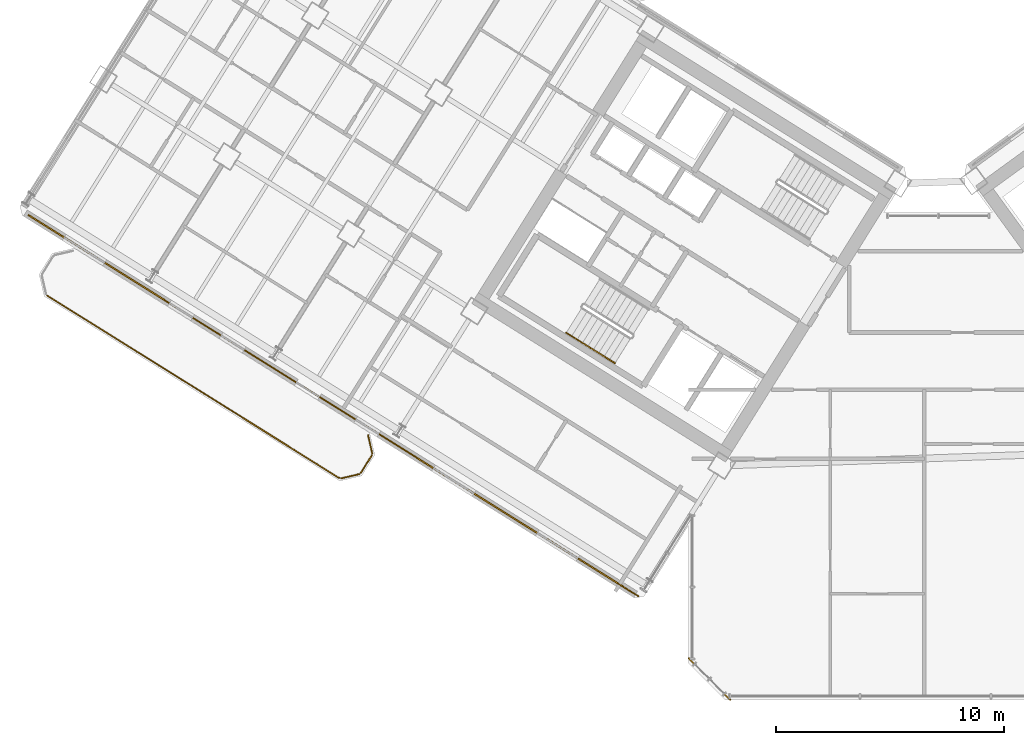
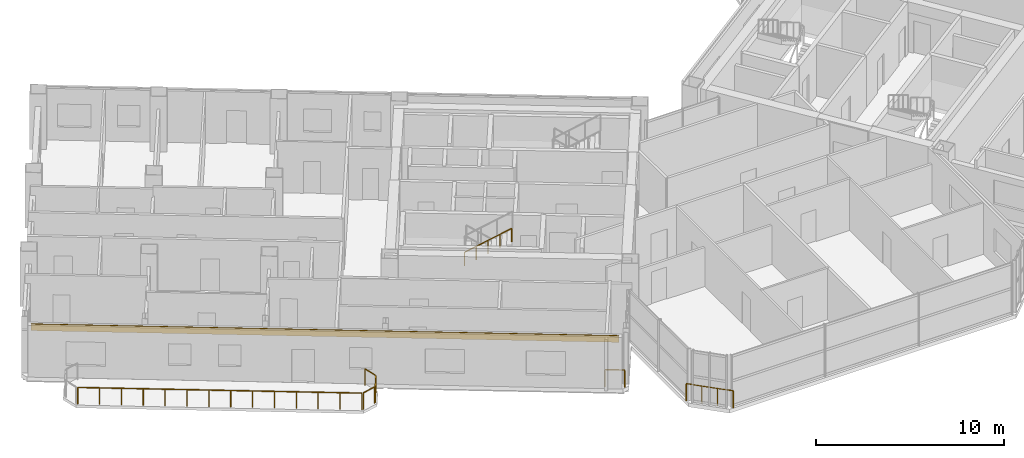
# One storey, part 22 of 29: 8 railings, 1 covering.
"""IFC4 building model written with IfcOpenShell, lengths in metres."""

from ifc_helpers import new_model, si_unit, direction, frame, origin, origin_2d, place, context, subcontext, project, spatial, rectangle, extrude, source, transform, mapped, material, layer, layer_set, type_object, element, save


model = new_model("IFC4")

# Units and contexts
model_context = context("Model", 3, precision=1e-05, world=origin(), true_north=direction((0.0, 1.0)))
body_context = subcontext(model_context, "Body", "Model", "MODEL_VIEW")
ifc_project = project(units=[si_unit("LENGTHUNIT", "METRE"), si_unit("AREAUNIT", "SQUARE_METRE"), si_unit("VOLUMEUNIT", "CUBIC_METRE"), si_unit("PLANEANGLEUNIT", "RADIAN"), si_unit("MASSUNIT", "GRAM", prefix="KILO")], contexts=[model_context])

# Site, building, storey
site_placement = place(None, origin())
site = spatial("IfcSite", under=ifc_project, at=site_placement, CompositionType="ELEMENT")
building_placement = place(site_placement, origin())
building = spatial("IfcBuilding", under=site, at=building_placement, Name="Tlacorven Tower", CompositionType="ELEMENT")
storey_placement = place(building_placement, frame((0.0, 0.0, 158.699951171875)))
storey = spatial("IfcBuildingStorey", under=building, at=storey_placement, Name="L40", CompositionType="ELEMENT", Elevation=158.699951171875)

# Railings
ifc_material_1 = material(Name="Aluminium and painted steel balustrade", Category="steel")
railing_type_1 = type_object("IfcRailingType", Name="RL-BAL-1100", PredefinedType="BALUSTRADE", material=ifc_material_1)
shared_shape_1 = source(origin(), body_context, "Body", "SweptSolid", [
    extrude(rectangle(XDim=0.048095703125, YDim=0.048095703125, at=origin_2d()), frame((0.0, 0.0, 1.076171875), z_axis=(0.225058334816, -0.974345290916, 0.0), x_axis=(0.974345290916, 0.225058334816, 0.0)), (0.0, 0.0, 1.0), 0.80712890625),
    extrude(rectangle(XDim=0.0419921875, YDim=0.0419921875, at=origin_2d()), origin(), (0.0, 0.0, 1.0), 1.052001953125),
    extrude(rectangle(XDim=0.0419921875, YDim=0.0419921875, at=origin_2d()), frame((0.181640625, -0.786376953125, 0.0)), (0.0, 0.0, 1.0), 1.052001953125),
])
railing_1_placement = place(storey_placement, frame((17.5244140625, 13.413330078125, 0.0)))
element("IfcRailing", 1, at=railing_1_placement, inside=storey, type_object=railing_type_1, Name="BAL-L40-W-OUT Guard Railing 1", PredefinedType="BALUSTRADE", context=body_context, shape_type="MappedRepresentation", body=[
    mapped(shared_shape_1, transform((0.0, 0.0, 0.0), scale=1.0)),
])
shared_shape_2 = source(origin(), body_context, "Body", "SweptSolid", [
    extrude(rectangle(XDim=0.048095703125, YDim=0.048095703125, at=origin_2d()), frame((0.0, 0.0, 1.076171875), z_axis=(-0.52987865805, -0.848073468364, 0.0), x_axis=(0.848073468364, -0.52987865805, 0.0)), (0.0, 0.0, 1.0), 0.912353515625),
    extrude(rectangle(XDim=0.0419921875, YDim=0.0419921875, at=origin_2d()), origin(), (0.0, 0.0, 1.0), 1.052001953125),
    extrude(rectangle(XDim=0.0419921875, YDim=0.0419921875, at=origin_2d()), frame((-0.4833984375, -0.773681640625, 0.0)), (0.0, 0.0, 1.0), 1.052001953125),
])
railing_2_placement = place(storey_placement, frame((17.690673828125, 12.535888671875, 0.0)))
element("IfcRailing", 2, at=railing_2_placement, inside=storey, type_object=railing_type_1, Name="BAL-L40-W-OUT Guard Railing 2", PredefinedType="BALUSTRADE", context=body_context, shape_type="MappedRepresentation", body=[
    mapped(shared_shape_2, transform((0.0, 0.0, 0.0), scale=1.0)),
])
shared_shape_3 = source(origin(), body_context, "Body", "SweptSolid", [
    extrude(rectangle(XDim=0.048095703125, YDim=0.048095703125, at=origin_2d()), frame((0.0, 0.0, 1.076171875), z_axis=(-0.974411586182, -0.224771129628, 0.0), x_axis=(0.224771129628, -0.974411586182, 0.0)), (0.0, 0.0, 1.0), 0.80712890625),
    extrude(rectangle(XDim=0.0419921875, YDim=0.0419921875, at=origin_2d()), origin(), (0.0, 0.0, 1.0), 1.052001953125),
    extrude(rectangle(XDim=0.0419921875, YDim=0.0419921875, at=origin_2d()), frame((-0.786376953125, -0.181396484375, 0.0)), (0.0, 0.0, 1.0), 1.052001953125),
])
railing_3_placement = place(storey_placement, frame((17.132080078125, 11.70849609375, 0.0)))
element("IfcRailing", 3, at=railing_3_placement, inside=storey, type_object=railing_type_1, Name="BAL-L40-W-OUT Guard Railing 3", PredefinedType="BALUSTRADE", context=body_context, shape_type="MappedRepresentation", body=[
    mapped(shared_shape_3, transform((0.0, 0.0, 0.0), scale=1.0)),
])
shared_shape_4 = source(origin(), body_context, "Body", "SweptSolid", [
    extrude(rectangle(XDim=0.048095703125, YDim=0.048095703125, at=origin_2d()), frame((0.0, 0.0, 1.076171875), z_axis=(-0.848044572804, 0.529924902733, 0.0), x_axis=(-0.529924902733, -0.848044572804, 0.0)), (0.0, 0.0, 1.0), 15.1171875),
    extrude(rectangle(XDim=0.0419921875, YDim=0.0419921875, at=origin_2d()), origin(), (0.0, 0.0, 1.0), 1.052001953125),
    extrude(rectangle(XDim=0.0419921875, YDim=0.0419921875, at=origin_2d()), frame((-0.986083984375, 0.6162109375, 0.0)), (0.0, 0.0, 1.0), 1.052001953125),
    extrude(rectangle(XDim=0.0419921875, YDim=0.0419921875, at=origin_2d()), frame((-1.972412109375, 1.232421875, 0.0)), (0.0, 0.0, 1.0), 1.052001953125),
    extrude(rectangle(XDim=0.0419921875, YDim=0.0419921875, at=origin_2d()), frame((-2.95849609375, 1.8486328125, 0.0)), (0.0, 0.0, 1.0), 1.052001953125),
    extrude(rectangle(XDim=0.0419921875, YDim=0.0419921875, at=origin_2d()), frame((-3.944580078125, 2.46484375, 0.0)), (0.0, 0.0, 1.0), 1.052001953125),
    extrude(rectangle(XDim=0.0419921875, YDim=0.0419921875, at=origin_2d()), frame((-4.930908203125, 3.0810546875, 0.0)), (0.0, 0.0, 1.0), 1.052001953125),
    extrude(rectangle(XDim=0.0419921875, YDim=0.0419921875, at=origin_2d()), frame((-5.9169921875, 3.697265625, 0.0)), (0.0, 0.0, 1.0), 1.052001953125),
    extrude(rectangle(XDim=0.0419921875, YDim=0.0419921875, at=origin_2d()), frame((-6.903076171875, 4.313720703125, 0.0)), (0.0, 0.0, 1.0), 1.052001953125),
    extrude(rectangle(XDim=0.0419921875, YDim=0.0419921875, at=origin_2d()), frame((-7.88916015625, 4.929931640625, 0.0)), (0.0, 0.0, 1.0), 1.052001953125),
    extrude(rectangle(XDim=0.0419921875, YDim=0.0419921875, at=origin_2d()), frame((-8.87548828125, 5.546142578125, 0.0)), (0.0, 0.0, 1.0), 1.052001953125),
    extrude(rectangle(XDim=0.0419921875, YDim=0.0419921875, at=origin_2d()), frame((-9.861572265625, 6.162353515625, 0.0)), (0.0, 0.0, 1.0), 1.052001953125),
    extrude(rectangle(XDim=0.0419921875, YDim=0.0419921875, at=origin_2d()), frame((-10.84765625, 6.778564453125, 0.0)), (0.0, 0.0, 1.0), 1.052001953125),
    extrude(rectangle(XDim=0.0419921875, YDim=0.0419921875, at=origin_2d()), frame((-11.833984375, 7.394775390625, 0.0)), (0.0, 0.0, 1.0), 1.052001953125),
    extrude(rectangle(XDim=0.0419921875, YDim=0.0419921875, at=origin_2d()), frame((-12.820068359375, 8.010986328125, 0.0)), (0.0, 0.0, 1.0), 1.052001953125),
])
railing_4_placement = place(storey_placement, frame((16.254638671875, 11.542236328125, 0.0)))
element("IfcRailing", 4, at=railing_4_placement, inside=storey, type_object=railing_type_1, Name="BAL-L40-W-OUT Guard Railing 4", PredefinedType="BALUSTRADE", context=body_context, shape_type="MappedRepresentation", body=[
    mapped(shared_shape_4, transform((0.0, 0.0, 0.0), scale=1.0)),
])
railing_type_2 = type_object("IfcRailingType", Name="RL-GRD-1150", PredefinedType="GUARDRAIL", material=ifc_material_1)
shared_shape_5 = source(origin(), body_context, "Body", "SweptSolid", [
    extrude(rectangle(XDim=0.048095703125, YDim=0.048095703125, at=origin_2d()), frame((0.0, 0.0, 1.1259765625), z_axis=(-0.707106781187, 0.707106781187, 0.0), x_axis=(-0.707106781187, -0.707106781187, 0.0)), (0.0, 0.0, 1.0), 2.590087890625),
    extrude(rectangle(XDim=0.0419921875, YDim=0.0419921875, at=origin_2d()), origin(), (0.0, 0.0, 1.0), 1.101806640625),
    extrude(rectangle(XDim=0.0419921875, YDim=0.0419921875, at=origin_2d()), frame((-0.610595703125, 0.610595703125, 0.0)), (0.0, 0.0, 1.0), 1.101806640625),
    extrude(rectangle(XDim=0.0419921875, YDim=0.0419921875, at=origin_2d()), frame((-1.220947265625, 1.220947265625, 0.0)), (0.0, 0.0, 1.0), 1.101806640625),
    extrude(rectangle(XDim=0.0419921875, YDim=0.0419921875, at=origin_2d()), frame((-1.83154296875, 1.83154296875, 0.0)), (0.0, 0.0, 1.0), 1.101806640625),
])
railing_5_placement = place(storey_placement, frame((33.428955078125, 1.79736328125, 0.0)))
element("IfcRailing", 5, at=railing_5_placement, inside=storey, type_object=railing_type_2, Name="L40 Knuckle Glazed Sill Guard 1", PredefinedType="GUARDRAIL", context=body_context, shape_type="MappedRepresentation", body=[
    mapped(shared_shape_5, transform((0.0, 0.0, 0.0), scale=1.0)),
])
shared_shape_6 = source(origin(), body_context, "Body", "SweptSolid", [
    extrude(rectangle(XDim=0.048095703125, YDim=0.048095703125, at=origin_2d()), frame((0.0, 0.0, 1.1259765625), z_axis=(-0.848102774857, 0.529831749973, 0.0), x_axis=(-0.529831749973, -0.848102774857, 0.0)), (0.0, 0.0, 1.0), 1.050048828125),
    extrude(rectangle(XDim=0.0419921875, YDim=0.0419921875, at=origin_2d()), origin(), (0.0, 0.0, 1.0), 1.101806640625),
    extrude(rectangle(XDim=0.0419921875, YDim=0.0419921875, at=origin_2d()), frame((-0.890625, 0.556396484375, 0.0)), (0.0, 0.0, 1.0), 1.101806640625),
])
railing_6_placement = place(storey_placement, frame((29.39501953125, 6.35009765625, 0.0)))
element("IfcRailing", 6, at=railing_6_placement, inside=storey, type_object=railing_type_2, Name="L40 Knuckle Glazed Sill Guard 2", PredefinedType="GUARDRAIL", context=body_context, shape_type="MappedRepresentation", body=[
    mapped(shared_shape_6, transform((0.0, 0.0, 0.0), scale=1.0)),
])

# Covering
ifc_material_2 = material(Name="Precast concrete C45/55", Category="concrete")
ifc_layer = layer(ifc_material_2, 0.06005859375)
ifc_layer_set = layer_set([ifc_layer], Name="Precast concrete C45/55")
covering_type = type_object("IfcCoveringType", Name="CV-CLD-TERC", PredefinedType="CLADDING", material=ifc_layer_set)
shared_shape_7 = source(origin(), body_context, "Body", "SweptSolid", [
    extrude(rectangle(XDim=31.287353515625, YDim=0.06005859375, at=origin_2d()), origin(), (0.0, 0.0, 1.0), 0.419921875),
])
covering_placement = place(storey_placement, frame((15.8740234375, 14.798828125, 2.93017578125), z_axis=(0.0, 0.0, 1.0), x_axis=(-0.84804812172, 0.529919223323, 0.0)))
element("IfcCovering", 7, at=covering_placement, inside=storey, type_object=covering_type, Name="L40 Masonry-Frame Spandrel Cladding 1", PredefinedType="CLADDING", context=body_context, shape_type="MappedRepresentation", body=[
    mapped(shared_shape_7, transform((0.0, 0.0, 0.0), scale=1.0)),
])

# Railings
railing_type_3 = type_object("IfcRailingType", Name="RL-HND-0900", PredefinedType="HANDRAIL", material=ifc_material_1)
shared_shape_8 = source(origin(), body_context, "Body", "SweptSolid", [
    extrude(rectangle(XDim=0.048095703125, YDim=0.048095703125, at=origin_2d()), frame((0.0, 0.0, 0.8759765625), z_axis=(0.713359751793, -0.4457479829, 0.540764828981), x_axis=(0.529911857636, 0.848052724267, 0.0)), (0.0, 0.0, 1.0), 1.498046875),
    extrude(rectangle(XDim=0.0419921875, YDim=0.0419921875, at=origin_2d()), origin(), (0.0, 0.0, 1.0), 0.851806640625),
    extrude(rectangle(XDim=0.0419921875, YDim=0.0419921875, at=origin_2d()), frame((0.5341796875, -0.333984375, 0.405029296875)), (0.0, 0.0, 1.0), 0.851806640625),
    extrude(rectangle(XDim=0.0419921875, YDim=0.0419921875, at=origin_2d()), frame((1.068603515625, -0.667724609375, 0.81005859375)), (0.0, 0.0, 1.0), 0.851806640625),
])
railing_7_placement = place(storey_placement, frame((26.228759765625, 17.915283203125, 1.97998046875)))
element("IfcRailing", 8, at=railing_7_placement, inside=storey, type_object=railing_type_3, Name="L40 ST-W1 stair handrail 3", PredefinedType="HANDRAIL", context=body_context, shape_type="MappedRepresentation", body=[
    mapped(shared_shape_8, transform((0.0, 0.0, 0.0), scale=1.0)),
])
shared_shape_9 = source(origin(), body_context, "Body", "SweptSolid", [
    extrude(rectangle(XDim=0.048095703125, YDim=0.048095703125, at=origin_2d()), frame((0.0, 0.0, 0.8759765625), z_axis=(0.713279695859, -0.445799809912, 0.540827703579), x_axis=(0.529998940003, 0.847998304005, 0.0)), (0.0, 0.0, 1.0), 1.497802734375),
    extrude(rectangle(XDim=0.0419921875, YDim=0.0419921875, at=origin_2d()), origin(), (0.0, 0.0, 1.0), 0.851806640625),
    extrude(rectangle(XDim=0.0419921875, YDim=0.0419921875, at=origin_2d()), frame((0.5341796875, -0.333984375, 0.405029296875)), (0.0, 0.0, 1.0), 0.851806640625),
    extrude(rectangle(XDim=0.0419921875, YDim=0.0419921875, at=origin_2d()), frame((1.068359375, -0.667724609375, 0.81005859375)), (0.0, 0.0, 1.0), 0.851806640625),
])
railing_8_placement = place(storey_placement, frame((27.29736328125, 17.24755859375, 2.7900390625)))
element("IfcRailing", 9, at=railing_8_placement, inside=storey, type_object=railing_type_3, Name="L40 ST-W1 stair handrail 4", PredefinedType="HANDRAIL", context=body_context, shape_type="MappedRepresentation", body=[
    mapped(shared_shape_9, transform((0.0, 0.0, 0.0), scale=1.0)),
])

save(model, "model.ifc")
